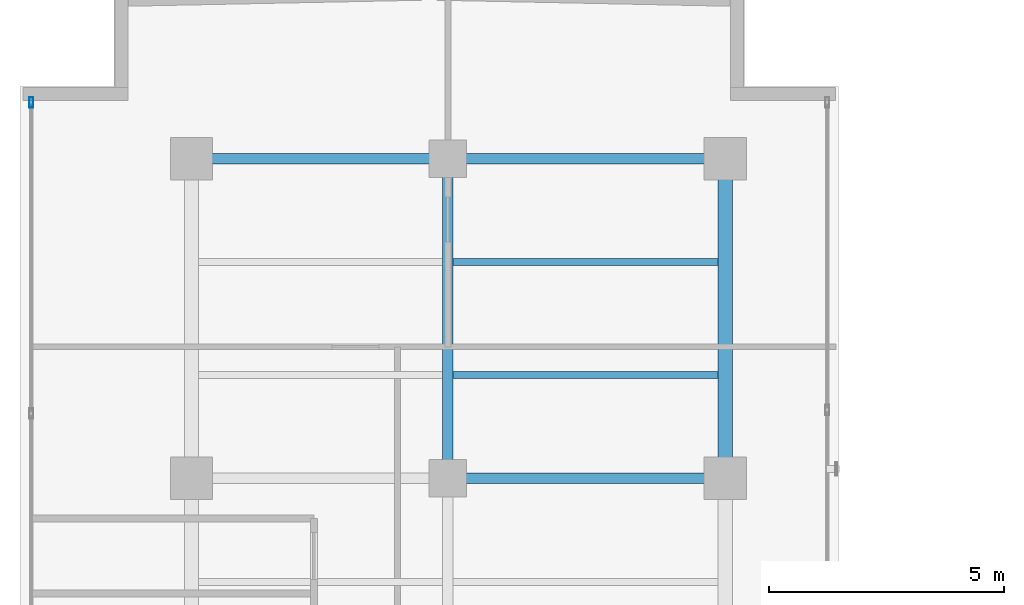
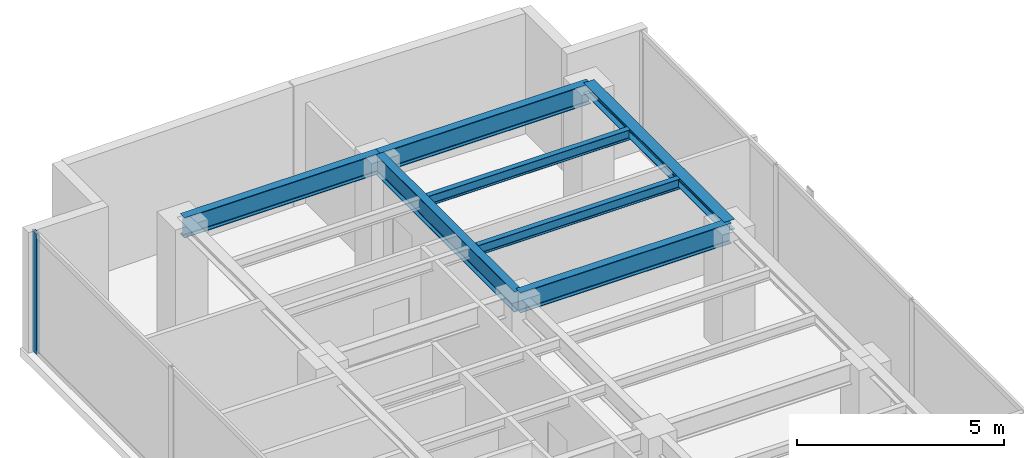
# One storey, part 14 of 24: 7 beams, 1 member, 1 element without a shape of its own.
"""IFC4 building model written with IfcOpenShell, lengths in metres."""

import ifcopenshell
import ifcopenshell.guid

model = None  # the IFC model being written
_history = None  # IfcOwnerHistory: only IFC2X3 demands one
_inside = {}  # id of a spatial element -> (the spatial element, [elements in it])
_under = {}  # id of a project, library or spatial element -> (it, [spatial elements below it])
_declared = {}  # id of a project -> (the project, [libraries it declares])
_typed = {}  # id of a type object -> (the type object, [elements of that type])
_made_of = {}  # id of a material, layer set ... -> (it, [elements and type objects made of it])


def new_model(schema):
    """Start an empty IFC model of exactly this schema.

    Asked for "IFC4X3", IfcOpenShell would pick the latest addendum, in which some entities
    have other attributes; the version numbers below select the first issue.
    IFC2X3 requires an IfcOwnerHistory on every rooted entity: one is made here for all.
    """
    global model, _history
    if schema == "IFC4X3":
        model = ifcopenshell.file(schema_version=(4, 3, 0, 0))
    else:
        model = ifcopenshell.file(schema=schema)
    _inside.clear()
    _under.clear()
    _declared.clear()
    _typed.clear()
    _made_of.clear()
    _history = None
    if model.schema == "IFC2X3":
        org = make("IfcOrganization", Name="unknown")
        user = make(
            "IfcPersonAndOrganization",
            ThePerson=make("IfcPerson", FamilyName="unknown"),
            TheOrganization=org,
        )
        app = make(
            "IfcApplication",
            ApplicationDeveloper=org,
            Version="unknown",
            ApplicationFullName="unknown",
            ApplicationIdentifier="unknown",
        )
        _history = make(
            "IfcOwnerHistory",
            OwningUser=user,
            OwningApplication=app,
            ChangeAction="ADDED",
            CreationDate=0,
        )
    return model


def make(cls, **values):
    """One entity of the class cls with the attributes given. An attribute that is None is left unset."""
    return model.create_entity(
        cls, **{name: value for name, value in values.items() if value is not None}
    )


def rooted(cls, **values):
    """An entity with a GlobalId (a new one), such as an element, a storey or a relation."""
    return make(cls, GlobalId=ifcopenshell.guid.new(), OwnerHistory=_history, **values)


def si_unit(unit_type, name, prefix=None):
    """IfcSIUnit, for example si_unit("LENGTHUNIT", "METRE", prefix="MILLI")."""
    return make("IfcSIUnit", UnitType=unit_type, Prefix=prefix, Name=name)


def assignment(units):
    """IfcUnitAssignment: the units of a project."""
    return None if units is None else make("IfcUnitAssignment", Units=units)


def point(xyz):
    """IfcCartesianPoint."""
    return None if xyz is None else make("IfcCartesianPoint", Coordinates=xyz)


def direction(xyz):
    """IfcDirection."""
    return None if xyz is None else make("IfcDirection", DirectionRatios=xyz)


def frame(location, z_axis=None, x_axis=None):
    """IfcAxis2Placement3D, a coordinate frame: its origin and axes. An axis left out is left unset."""
    return make(
        "IfcAxis2Placement3D",
        Location=point(location),
        Axis=direction(z_axis),
        RefDirection=direction(x_axis),
    )


def frame_2d(location, x_axis=None):
    """IfcAxis2Placement2D, a coordinate frame in the plane: its origin and x axis."""
    return make(
        "IfcAxis2Placement2D", Location=point(location), RefDirection=direction(x_axis)
    )


def origin():
    """The frame at (0, 0, 0) with its axes left unset."""
    return frame((0.0, 0.0, 0.0))


def origin_with_axes():
    """The frame at (0, 0, 0) with the z axis (0, 0, 1) and the x axis (1, 0, 0) written out."""
    return frame((0.0, 0.0, 0.0), z_axis=(0.0, 0.0, 1.0), x_axis=(1.0, 0.0, 0.0))


def origin_2d():
    """The frame at (0, 0) in the plane with its x axis left unset."""
    return frame_2d((0.0, 0.0))


def place(relative_to, where):
    """IfcLocalPlacement: puts the frame where relative to a parent placement (None: the world)."""
    return make(
        "IfcLocalPlacement", PlacementRelTo=relative_to, RelativePlacement=where
    )


def context(
    kind, dimensions, precision=None, world=None, true_north=None, identifier=None
):
    """IfcGeometricRepresentationContext, for example the 3D "Model" context."""
    return make(
        "IfcGeometricRepresentationContext",
        ContextIdentifier=identifier,
        ContextType=kind,
        CoordinateSpaceDimension=dimensions,
        Precision=precision,
        WorldCoordinateSystem=world,
        TrueNorth=true_north,
    )


def subcontext(parent, identifier, kind, view, scale=None):
    """IfcGeometricRepresentationSubContext, for example "Body" below "Model"."""
    return make(
        "IfcGeometricRepresentationSubContext",
        ContextIdentifier=identifier,
        ContextType=kind,
        ParentContext=parent,
        TargetScale=scale,
        TargetView=view,
    )


def project(units=None, contexts=None):
    """IfcProject with its units and contexts."""
    return rooted(
        "IfcProject",
        Name="project",
        RepresentationContexts=contexts,
        UnitsInContext=assignment(units),
    )


def spatial(cls, under=None, at=None, **own):
    """A site, building, storey or space (cls), placed at a placement, below another one or the project."""
    s = rooted(cls, ObjectPlacement=at, **own)
    if under is not None:
        _under.setdefault(under.id(), (under, []))[1].append(s)
    return s


def profile(cls, at=None, kind="AREA", **sizes):
    """A parametric profile (cls). Its sizes go by their IFC names, for example OverallWidth=200.0."""
    return make(cls, ProfileType=kind, Position=at, **sizes)


def hollow_rectangle(**sizes):
    """IfcRectangleHollowProfileDef."""
    return profile("IfcRectangleHollowProfileDef", **sizes)


def i_section(**sizes):
    """IfcIShapeProfileDef."""
    return profile("IfcIShapeProfileDef", **sizes)


def extrude(swept, where, along, depth):
    """IfcExtrudedAreaSolid: the profile swept, set in the frame where, extruded along a direction by depth."""
    return make(
        "IfcExtrudedAreaSolid",
        SweptArea=swept,
        Position=where,
        ExtrudedDirection=direction(along),
        Depth=depth,
    )


def shape(context_of_items, identifier, shape_type, items):
    """IfcShapeRepresentation: the items that make up one representation, for example the "Body"."""
    return make(
        "IfcShapeRepresentation",
        ContextOfItems=context_of_items,
        RepresentationIdentifier=identifier,
        RepresentationType=shape_type,
        Items=items,
    )


def source(mapping_origin, context_of_items, identifier, shape_type, items):
    """IfcRepresentationMap: a shape defined once, which mapped items show again and again."""
    return make(
        "IfcRepresentationMap",
        MappingOrigin=mapping_origin,
        MappedRepresentation=shape(context_of_items, identifier, shape_type, items),
    )


def transform(
    local_origin,
    x_axis=None,
    y_axis=None,
    z_axis=None,
    scale=None,
    scale2=None,
    scale3=None,
    uniform=True,
):
    """IfcCartesianTransformationOperator3D, or its non-uniform kind. x_axis, y_axis, z_axis: its Axis1, 2, 3."""
    if uniform:
        return make(
            "IfcCartesianTransformationOperator3D",
            Axis1=direction(x_axis),
            Axis2=direction(y_axis),
            LocalOrigin=point(local_origin),
            Scale=scale,
            Axis3=direction(z_axis),
        )
    return make(
        "IfcCartesianTransformationOperator3DnonUniform",
        Axis1=direction(x_axis),
        Axis2=direction(y_axis),
        LocalOrigin=point(local_origin),
        Scale=scale,
        Axis3=direction(z_axis),
        Scale2=scale2,
        Scale3=scale3,
    )


def mapped(mapping_source, mapping_target):
    """IfcMappedItem: shows the shape of a source again, moved by a transform."""
    return make(
        "IfcMappedItem", MappingSource=mapping_source, MappingTarget=mapping_target
    )


def material(Name=None, Category=None):
    """IfcMaterial."""
    return make("IfcMaterial", Name=Name, Category=Category)


def layer(
    of_material, thickness, ventilated=None, Name=None, Category=None, Priority=None
):
    """IfcMaterialLayer: one layer of a wall or slab, of a material (None: an air gap)."""
    return make(
        "IfcMaterialLayer",
        Material=of_material,
        LayerThickness=thickness,
        IsVentilated=ventilated,
        Name=Name,
        Category=Category,
        Priority=Priority,
    )


def layer_set(layers, Name=None):
    """IfcMaterialLayerSet."""
    return make("IfcMaterialLayerSet", MaterialLayers=layers, LayerSetName=Name)


def material_profile(
    of_material, cross_section, Name=None, Category=None, Priority=None
):
    """IfcMaterialProfile: a cross section and its material."""
    return make(
        "IfcMaterialProfile",
        Name=Name,
        Material=of_material,
        Profile=cross_section,
        Priority=Priority,
        Category=Category,
    )


def profile_set(profiles, Name=None, composite=None):
    """IfcMaterialProfileSet."""
    return make(
        "IfcMaterialProfileSet",
        Name=Name,
        MaterialProfiles=profiles,
        CompositeProfile=composite,
    )


def made_of(thing, what):
    """Note that an element or type object is made of a material, layer set ...; save() writes the relation."""
    if what is not None:
        _made_of.setdefault(what.id(), (what, []))[1].append(thing)
    return thing


def type_object(cls, material=None, **own):
    """A type object (cls), such as IfcWallType, which elements share."""
    return made_of(rooted(cls, **own), material)


def element(
    cls,
    number,
    at=None,
    inside=None,
    cuts=None,
    type_object=None,
    material=None,
    context=None,
    identifier="Body",
    shape_type=None,
    held_by="IfcProductDefinitionShape",
    body=None,
    shapes=None,
    **own,
):
    """One element of the class cls, such as IfcWall. Its Tag is "e" and its number.

    at: its placement. inside: the storey or other place that contains it. cuts: it is an
    opening in that element (IfcRelVoidsElement). A single representation is given by context,
    identifier, shape_type and body (its items); several are given by shapes. held_by: the class
    of the entity that holds the representations. save() writes the other relations.
    """
    e = rooted(cls, Tag="e%d" % number, ObjectPlacement=at, **own)
    if body is not None:
        shapes = [shape(context, identifier, shape_type, body)]
    if shapes is not None:
        e.Representation = make(held_by, Representations=shapes)
    if inside is not None:
        _inside.setdefault(inside.id(), (inside, []))[1].append(e)
    if cuts is not None:
        rooted(
            "IfcRelVoidsElement", RelatingBuildingElement=cuts, RelatedOpeningElement=e
        )
    if type_object is not None:
        _typed.setdefault(type_object.id(), (type_object, []))[1].append(e)
    return made_of(e, material)


def aggregate(whole, parts):
    """IfcRelAggregates: a whole, such as a stair, and the parts it consists of."""
    return rooted("IfcRelAggregates", RelatingObject=whole, RelatedObjects=parts)


def save(model, path):
    """Write the relations noted so far, then the file.

    IfcRelAggregates (storeys below a building ...), IfcRelContainedInSpatialStructure (elements
    in a storey), IfcRelDefinesByType, IfcRelAssociatesMaterial and IfcRelDeclares: one each for
    every whole, place, type object, material and project.
    """
    for whole, parts in _under.values():
        aggregate(whole, parts)
    for where, things in _inside.values():
        rooted(
            "IfcRelContainedInSpatialStructure",
            RelatedElements=things,
            RelatingStructure=where,
        )
    for kind, things in _typed.values():
        rooted("IfcRelDefinesByType", RelatedObjects=things, RelatingType=kind)
    for what, things in _made_of.values():
        rooted("IfcRelAssociatesMaterial", RelatedObjects=things, RelatingMaterial=what)
    for by, libraries in _declared.values():
        rooted("IfcRelDeclares", RelatingContext=by, RelatedDefinitions=libraries)
    model.write(path)


model = new_model("IFC4")

# Units and contexts
model_context = context("Model", 3, precision=1e-05, world=origin(), true_north=direction((0.0, 1.0)))
body_context = subcontext(model_context, "Body", "Model", "MODEL_VIEW")
ifc_project = project(units=[si_unit("LENGTHUNIT", "METRE"), si_unit("AREAUNIT", "SQUARE_METRE"), si_unit("VOLUMEUNIT", "CUBIC_METRE"), si_unit("PLANEANGLEUNIT", "RADIAN"), si_unit("MASSUNIT", "GRAM", prefix="KILO")], contexts=[model_context])

# Site, building, storey
site_placement = place(None, origin())
site = spatial("IfcSite", under=ifc_project, at=site_placement, CompositionType="ELEMENT")
building_placement = place(site_placement, origin())
building = spatial("IfcBuilding", under=site, at=building_placement, Name="Kolvaren Waterfront Exchange", CompositionType="ELEMENT")
storey_placement = place(building_placement, frame((0.0, 0.0, 331.199951171875)))
storey = spatial("IfcBuildingStorey", under=building, at=storey_placement, Name="L85", CompositionType="ELEMENT", Elevation=331.199951171875)

# Beams
ifc_material_1 = material(Name="Steel S355", Category="steel")
ifc_material_profile_1 = material_profile(ifc_material_1, i_section(OverallWidth=0.300048828125, OverallDepth=0.300048828125, WebThickness=0.010986328125, FlangeThickness=0.01904296875, FilletRadius=0.027099609375, at=origin_2d()), Name="HEB300")
ifc_profile_set_1 = profile_set([ifc_material_profile_1], Name="Steel S355")
beam_type_1 = type_object("IfcBeamType", Name="STR-BM-HEB300", PredefinedType="SPANDREL", material=ifc_profile_set_1)
beam_1_placement = place(storey_placement, frame((18.800048828125, 37.800048828125, 3.41015625), z_axis=(0.0, 1.0, 0.0), x_axis=(-1.0, 0.0, 0.0)))
element("IfcBeam", 1, at=beam_1_placement, inside=storey, type_object=beam_type_1, Name="L85 north-arm edge beam 3", PredefinedType="SPANDREL", context=body_context, shape_type="SweptSolid", body=[
    extrude(i_section(OverallWidth=0.300048828125, OverallDepth=0.300048828125, WebThickness=0.010986328125, FlangeThickness=0.01904296875, FilletRadius=0.027099609375, at=origin_2d()), origin(), (0.0, 0.0, 1.0), 6.800048828125),
])
ifc_material_profile_2 = material_profile(ifc_material_1, i_section(OverallWidth=0.14990234375, OverallDepth=0.300048828125, WebThickness=0.007080078125, FlangeThickness=0.0107421875, FilletRadius=0.014892578125, at=origin_2d()), Name="IPE300")
ifc_profile_set_2 = profile_set([ifc_material_profile_2], Name="Steel S355")
beam_type_2 = type_object("IfcBeamType", Name="STR-BM-IPE300", PredefinedType="JOIST", material=ifc_profile_set_2)
for number, where, z_axis, x_axis, name in (
    (2, (13.011962890625, 40.0, 3.41015625), (1.0, 0.0, 0.0), (0.0, 1.0, 0.0), "L85 north-arm composite joist 5B"),
    (3, (13.011962890625, 42.39990234375, 3.41015625), (1.0, 0.0, 0.0), (0.0, 1.0, 0.0), "L85 north-arm composite joist 6B"),
):
    element("IfcBeam", number, at=place(storey_placement, frame(where, z_axis=z_axis, x_axis=x_axis)), inside=storey, type_object=beam_type_2, Name=name, PredefinedType="JOIST", context=body_context, shape_type="SweptSolid", body=[
        extrude(i_section(OverallWidth=0.14990234375, OverallDepth=0.300048828125, WebThickness=0.007080078125, FlangeThickness=0.0107421875, FilletRadius=0.014892578125, at=origin_2d()), origin(), (0.0, 0.0, 1.0), 5.635986328125),
    ])
ifc_material_profile_3 = material_profile(ifc_material_1, i_section(OverallWidth=0.219970703125, OverallDepth=0.60009765625, WebThickness=0.011962890625, FlangeThickness=0.01904296875, FilletRadius=0.02392578125, at=origin_2d()), Name="IPE600")
ifc_profile_set_3 = profile_set([ifc_material_profile_3], Name="Steel S355")
beam_type_3 = type_object("IfcBeamType", Name="STR-BM-IPE600", PredefinedType="BEAM", material=ifc_profile_set_3)
beam_2_placement = place(storey_placement, frame((12.89990234375, 37.800048828125, 3.260009765625), z_axis=(1.0, 0.0, 0.0), x_axis=(0.0, 1.0, 0.0)))
element("IfcBeam", 4, at=beam_2_placement, inside=storey, type_object=beam_type_3, Name="L85 north-arm girder 3B", PredefinedType="BEAM", context=body_context, shape_type="SweptSolid", body=[
    extrude(i_section(OverallWidth=0.219970703125, OverallDepth=0.60009765625, WebThickness=0.011962890625, FlangeThickness=0.01904296875, FilletRadius=0.02392578125, at=origin_2d()), origin(), (0.0, 0.0, 1.0), 5.900146484375),
])
beam_3_placement = place(storey_placement, frame((7.449951171875, 44.60009765625, 3.260009765625), z_axis=(1.0, 0.0, 0.0), x_axis=(0.0, 1.0, 0.0)))
element("IfcBeam", 5, at=beam_3_placement, inside=storey, type_object=beam_type_3, Name="L85 north-arm girder 4A", PredefinedType="BEAM", context=body_context, shape_type="SweptSolid", body=[
    extrude(i_section(OverallWidth=0.219970703125, OverallDepth=0.60009765625, WebThickness=0.011962890625, FlangeThickness=0.01904296875, FilletRadius=0.02392578125, at=origin_2d()), origin(), (0.0, 0.0, 1.0), 5.449951171875),
])
beam_4_placement = place(storey_placement, frame((12.89990234375, 44.60009765625, 3.260009765625), z_axis=(1.0, 0.0, 0.0), x_axis=(0.0, 1.0, 0.0)))
element("IfcBeam", 6, at=beam_4_placement, inside=storey, type_object=beam_type_3, Name="L85 north-arm girder 4B", PredefinedType="BEAM", context=body_context, shape_type="SweptSolid", body=[
    extrude(i_section(OverallWidth=0.219970703125, OverallDepth=0.60009765625, WebThickness=0.011962890625, FlangeThickness=0.01904296875, FilletRadius=0.02392578125, at=origin_2d()), origin(), (0.0, 0.0, 1.0), 5.900146484375),
])
beam_5_placement = place(storey_placement, frame((12.89990234375, 37.800048828125, 3.260009765625), z_axis=(0.0, 1.0, 0.0), x_axis=(-1.0, 0.0, 0.0)))
element("IfcBeam", 7, at=beam_5_placement, inside=storey, type_object=beam_type_3, Name="L85 north-arm edge beam 3", PredefinedType="BEAM", context=body_context, shape_type="SweptSolid", body=[
    extrude(i_section(OverallWidth=0.219970703125, OverallDepth=0.60009765625, WebThickness=0.011962890625, FlangeThickness=0.01904296875, FilletRadius=0.02392578125, at=origin_2d()), origin(), (0.0, 0.0, 1.0), 6.800048828125),
])

# Curtain wall, member
ifc_material_2 = material(Name="Anodised aluminium 6063-T6", Category="aluminium")
ifc_layer = layer(ifc_material_2, 0.219970703125, Name="Anodised aluminium 6063-T6")
ifc_layer_set = layer_set([ifc_layer], Name="Anodised aluminium 6063-T6")
curtain_wall_type = type_object("IfcCurtainWallType", Name="ARC-CW-SYS2", PredefinedType="USERDEFINED", material=ifc_layer_set)
curtain_wall_placement = place(storey_placement, origin())
curtain_wall = element("IfcCurtainWall", 8, at=curtain_wall_placement, inside=storey, type_object=curtain_wall_type, Name="L85 stick curtain wall CW2 (CW-L85-W)", ObjectType="STICK CURTAIN WALL", PredefinedType="USERDEFINED")
ifc_material_profile_4 = material_profile(ifc_material_2, hollow_rectangle(XDim=0.080078125, YDim=0.219970703125, WallThickness=0.0048828125, at=origin_2d()), Name="ALU-MUL-220x80x5")
ifc_profile_set_4 = profile_set([ifc_material_profile_4], Name="Anodised aluminium 6063-T6")
member_type = type_object("IfcMemberType", Name="ARC-CWM-220", PredefinedType="MULLION", material=ifc_profile_set_4)
shared_shape = source(origin_with_axes(), body_context, "Body", "SweptSolid", [
    extrude(hollow_rectangle(XDim=0.080078125, YDim=0.219970703125, WallThickness=0.0048828125, at=origin_2d()), origin(), (0.0, 0.0, 1.0), 3.56005859375),
])
member_placement = place(storey_placement, frame((4.0400390625, 45.796875, 0.0), z_axis=(0.0, 0.0, 1.0), x_axis=(-1.0, 0.0, 0.0)))
member = element("IfcMember", 9, at=member_placement, type_object=member_type, Name="CW2 mullion 7", PredefinedType="MULLION", context=body_context, shape_type="MappedRepresentation", body=[
    mapped(shared_shape, transform((0.0, 0.0, 0.0), x_axis=(1.0, 0.0, 0.0), y_axis=(0.0, 1.0, 0.0), z_axis=(0.0, 0.0, 1.0), scale=1.0)),
])
aggregate(curtain_wall, [member])

save(model, "model.ifc")
